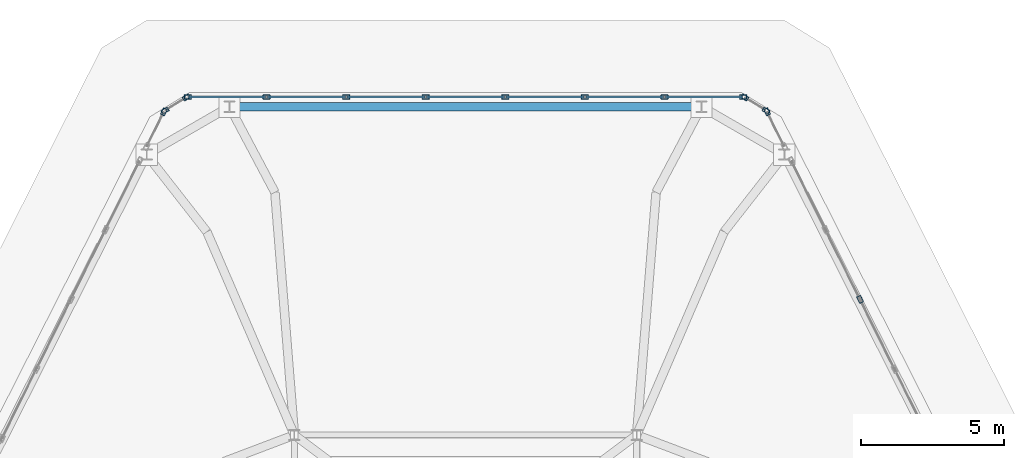
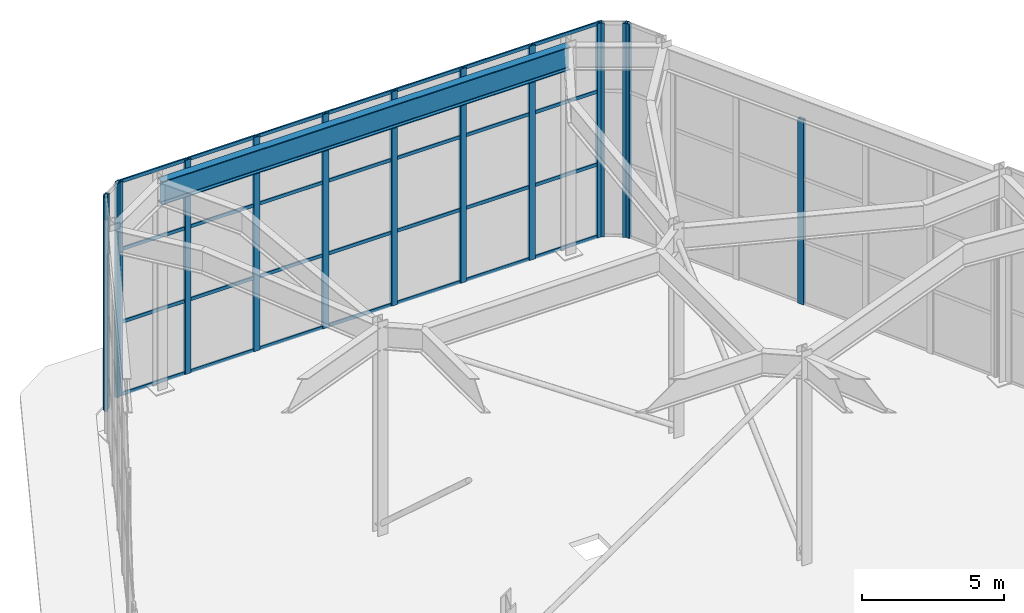
# One storey, part 8 of 12: 43 members, 1 beam, 6 elements without a shape of their own.
"""IFC4 building model written with IfcOpenShell, lengths in metres."""

from ifc_helpers import new_model, si_unit, direction, frame, origin, origin_2d, place, context, subcontext, project, spatial, hollow_rectangle, i_section, extrude, material, layer, layer_set, material_profile, profile_set, type_object, element, aggregate, save


model = new_model("IFC4")

# Units and contexts
model_context = context("Model", 3, precision=1e-05, world=origin(), true_north=direction((0.0, 1.0)))
body_context = subcontext(model_context, "Body", "Model", "MODEL_VIEW")
ifc_project = project(units=[si_unit("LENGTHUNIT", "METRE"), si_unit("AREAUNIT", "SQUARE_METRE"), si_unit("VOLUMEUNIT", "CUBIC_METRE"), si_unit("PLANEANGLEUNIT", "RADIAN"), si_unit("MASSUNIT", "GRAM", prefix="KILO")], contexts=[model_context])

# Site, building, storey
site_placement = place(None, origin())
site = spatial("IfcSite", under=ifc_project, at=site_placement, CompositionType="ELEMENT")
building_placement = place(site_placement, origin())
building = spatial("IfcBuilding", under=site, at=building_placement, Name="Cinnabar Lancet Tower", CompositionType="ELEMENT")
storey_placement = place(building_placement, frame((0.0, 0.0, 305.5)))
storey = spatial("IfcBuildingStorey", under=building, at=storey_placement, Name="L80", CompositionType="ELEMENT", Elevation=305.5)

# Curtain wall, member
ifc_material_1 = material(Name="Thermally broken bronze-anodized aluminium and low-E glass", Category="aluminium")
ifc_layer = layer(ifc_material_1, 0.179931640625)
ifc_layer_set = layer_set([ifc_layer], Name="Thermally broken bronze-anodized aluminium and low-E glass")
curtain_wall_type = type_object("IfcCurtainWallType", Name="ENV-CW-SYS-05", PredefinedType="NOTDEFINED", material=ifc_layer_set)
curtain_wall_1_placement = place(storey_placement, origin())
curtain_wall_1 = element("IfcCurtainWall", 1, at=curtain_wall_1_placement, inside=storey, type_object=curtain_wall_type, Name="L80 Faceted Lancet Crown Curtain Wall 9", PredefinedType="NOTDEFINED")
ifc_material_2 = material(Name="Anodized architectural aluminium 6063-T6", Category="aluminium")
ifc_material_profile_1 = material_profile(ifc_material_2, hollow_rectangle(XDim=0.14990234375, YDim=0.25, WallThickness=0.010009765625, InnerFilletRadius=0.0048828125, OuterFilletRadius=0.014892578125, at=origin_2d()), Name="RHS 250x150x10")
ifc_profile_set_1 = profile_set([ifc_material_profile_1], Name="Anodized architectural aluminium 6063-T6")
member_type_1 = type_object("IfcMemberType", Name="ENV-CW-MUL-260", PredefinedType="MULLION", material=ifc_profile_set_1)
member_1_placement = place(storey_placement, frame((46.23291015625, 35.055419921875, 0.0), z_axis=(0.0, 0.0, 1.0), x_axis=(-0.8959477521, -0.44415945955, 0.0)))
member_1 = element("IfcMember", 2, at=member_1_placement, type_object=member_type_1, Name="CW-05 mullion 4", PredefinedType="MULLION", context=body_context, shape_type="SweptSolid", body=[
    extrude(hollow_rectangle(XDim=0.14990234375, YDim=0.25, WallThickness=0.010009765625, InnerFilletRadius=0.0048828125, OuterFilletRadius=0.014892578125, at=origin_2d()), origin(), (0.0, 0.0, 1.0), 7.9150390625),
])
aggregate(curtain_wall_1, [member_1])

curtain_wall_2_placement = place(storey_placement, origin())
curtain_wall_2 = element("IfcCurtainWall", 3, at=curtain_wall_2_placement, inside=storey, type_object=curtain_wall_type, Name="L80 Faceted Lancet Crown Curtain Wall 10", PredefinedType="NOTDEFINED")
member_2_placement = place(storey_placement, frame((42.973388671875, 41.630126953125, 0.0), z_axis=(0.0, 0.0, 1.0), x_axis=(-0.895820359373, -0.444416340533, 0.0)))
member_2 = element("IfcMember", 4, at=member_2_placement, type_object=member_type_1, Name="CW-05 mullion 2", PredefinedType="MULLION", context=body_context, shape_type="SweptSolid", body=[
    extrude(hollow_rectangle(XDim=0.14990234375, YDim=0.25, WallThickness=0.010009765625, InnerFilletRadius=0.0048828125, OuterFilletRadius=0.014892578125, at=origin_2d()), origin(), (0.0, 0.0, 1.0), 9.175048828125),
])
aggregate(curtain_wall_2, [member_2])

# Curtain wall, members
curtain_wall_3_placement = place(storey_placement, origin())
curtain_wall_3 = element("IfcCurtainWall", 5, at=curtain_wall_3_placement, inside=storey, type_object=curtain_wall_type, Name="L80 Faceted Lancet Crown Curtain Wall 11", PredefinedType="NOTDEFINED")
member_3_placement = place(storey_placement, frame((42.9345703125, 41.6728515625, 0.0), z_axis=(0.0, 0.0, 1.0), x_axis=(-0.527496027734, -0.849557497009, 0.0)))
member_3 = element("IfcMember", 6, at=member_3_placement, type_object=member_type_1, Name="CW-05 mullion 1", PredefinedType="MULLION", context=body_context, shape_type="SweptSolid", body=[
    extrude(hollow_rectangle(XDim=0.14990234375, YDim=0.25, WallThickness=0.010009765625, InnerFilletRadius=0.0048828125, OuterFilletRadius=0.014892578125, at=origin_2d()), origin(), (0.0, 0.0, 1.0), 9.175048828125),
])
member_4_placement = place(storey_placement, frame((42.19140625, 42.13427734375, 0.0), z_axis=(0.0, 0.0, 1.0), x_axis=(-0.527496027734, -0.849557497009, 0.0)))
member_4 = element("IfcMember", 7, at=member_4_placement, type_object=member_type_1, Name="CW-05 mullion 2", PredefinedType="MULLION", context=body_context, shape_type="SweptSolid", body=[
    extrude(hollow_rectangle(XDim=0.14990234375, YDim=0.25, WallThickness=0.010009765625, InnerFilletRadius=0.0048828125, OuterFilletRadius=0.014892578125, at=origin_2d()), origin(), (0.0, 0.0, 1.0), 9.175048828125),
])
aggregate(curtain_wall_3, [member_3, member_4])

curtain_wall_4_placement = place(storey_placement, origin())
curtain_wall_4 = element("IfcCurtainWall", 8, at=curtain_wall_4_placement, inside=storey, type_object=curtain_wall_type, Name="L80 Faceted Lancet Crown Curtain Wall 12", PredefinedType="NOTDEFINED")
member_5_placement = place(storey_placement, frame((42.135986328125, 42.14990234375, 0.0), z_axis=(0.0, 0.0, 1.0), x_axis=(0.0, -1.0, 0.0)))
member_5 = element("IfcMember", 9, at=member_5_placement, type_object=member_type_1, Name="CW-05 mullion 1", PredefinedType="MULLION", context=body_context, shape_type="SweptSolid", body=[
    extrude(hollow_rectangle(XDim=0.14990234375, YDim=0.25, WallThickness=0.010009765625, InnerFilletRadius=0.0048828125, OuterFilletRadius=0.014892578125, at=origin_2d()), origin(), (0.0, 0.0, 1.0), 9.175048828125),
])
member_6_placement = place(storey_placement, frame((39.375732421875, 42.14990234375, 0.0), z_axis=(0.0, 0.0, 1.0), x_axis=(0.0, -1.0, 0.0)))
member_6 = element("IfcMember", 10, at=member_6_placement, type_object=member_type_1, Name="CW-05 mullion 2", PredefinedType="MULLION", context=body_context, shape_type="SweptSolid", body=[
    extrude(hollow_rectangle(XDim=0.14990234375, YDim=0.25, WallThickness=0.010009765625, InnerFilletRadius=0.0048828125, OuterFilletRadius=0.014892578125, at=origin_2d()), origin(), (0.0, 0.0, 1.0), 9.175048828125),
])
member_7_placement = place(storey_placement, frame((36.58544921875, 42.14990234375, 0.0), z_axis=(0.0, 0.0, 1.0), x_axis=(0.0, -1.0, 0.0)))
member_7 = element("IfcMember", 11, at=member_7_placement, type_object=member_type_1, Name="CW-05 mullion 3", PredefinedType="MULLION", context=body_context, shape_type="SweptSolid", body=[
    extrude(hollow_rectangle(XDim=0.14990234375, YDim=0.25, WallThickness=0.010009765625, InnerFilletRadius=0.0048828125, OuterFilletRadius=0.014892578125, at=origin_2d()), origin(), (0.0, 0.0, 1.0), 9.175048828125),
])
member_8_placement = place(storey_placement, frame((33.795166015625, 42.14990234375, 0.0), z_axis=(0.0, 0.0, 1.0), x_axis=(0.0, -1.0, 0.0)))
member_8 = element("IfcMember", 12, at=member_8_placement, type_object=member_type_1, Name="CW-05 mullion 4", PredefinedType="MULLION", context=body_context, shape_type="SweptSolid", body=[
    extrude(hollow_rectangle(XDim=0.14990234375, YDim=0.25, WallThickness=0.010009765625, InnerFilletRadius=0.0048828125, OuterFilletRadius=0.014892578125, at=origin_2d()), origin(), (0.0, 0.0, 1.0), 9.175048828125),
])
member_9_placement = place(storey_placement, frame((31.0048828125, 42.14990234375, 0.0), z_axis=(0.0, 0.0, 1.0), x_axis=(0.0, -1.0, 0.0)))
member_9 = element("IfcMember", 13, at=member_9_placement, type_object=member_type_1, Name="CW-05 mullion 5", PredefinedType="MULLION", context=body_context, shape_type="SweptSolid", body=[
    extrude(hollow_rectangle(XDim=0.14990234375, YDim=0.25, WallThickness=0.010009765625, InnerFilletRadius=0.0048828125, OuterFilletRadius=0.014892578125, at=origin_2d()), origin(), (0.0, 0.0, 1.0), 9.175048828125),
])
member_10_placement = place(storey_placement, frame((28.214599609375, 42.14990234375, 0.0), z_axis=(0.0, 0.0, 1.0), x_axis=(0.0, -1.0, 0.0)))
member_10 = element("IfcMember", 14, at=member_10_placement, type_object=member_type_1, Name="CW-05 mullion 6", PredefinedType="MULLION", context=body_context, shape_type="SweptSolid", body=[
    extrude(hollow_rectangle(XDim=0.14990234375, YDim=0.25, WallThickness=0.010009765625, InnerFilletRadius=0.0048828125, OuterFilletRadius=0.014892578125, at=origin_2d()), origin(), (0.0, 0.0, 1.0), 9.175048828125),
])
member_11_placement = place(storey_placement, frame((25.42431640625, 42.14990234375, 0.0), z_axis=(0.0, 0.0, 1.0), x_axis=(0.0, -1.0, 0.0)))
member_11 = element("IfcMember", 15, at=member_11_placement, type_object=member_type_1, Name="CW-05 mullion 7", PredefinedType="MULLION", context=body_context, shape_type="SweptSolid", body=[
    extrude(hollow_rectangle(XDim=0.14990234375, YDim=0.25, WallThickness=0.010009765625, InnerFilletRadius=0.0048828125, OuterFilletRadius=0.014892578125, at=origin_2d()), origin(), (0.0, 0.0, 1.0), 9.175048828125),
])
member_12_placement = place(storey_placement, frame((22.6640625, 42.14990234375, 0.0), z_axis=(0.0, 0.0, 1.0), x_axis=(0.0, -1.0, 0.0)))
member_12 = element("IfcMember", 16, at=member_12_placement, type_object=member_type_1, Name="CW-05 mullion 8", PredefinedType="MULLION", context=body_context, shape_type="SweptSolid", body=[
    extrude(hollow_rectangle(XDim=0.14990234375, YDim=0.25, WallThickness=0.010009765625, InnerFilletRadius=0.0048828125, OuterFilletRadius=0.014892578125, at=origin_2d()), origin(), (0.0, 0.0, 1.0), 9.175048828125),
])

curtain_wall_5_placement = place(storey_placement, origin())
curtain_wall_5 = element("IfcCurtainWall", 17, at=curtain_wall_5_placement, inside=storey, type_object=curtain_wall_type, Name="L80 Faceted Lancet Crown Curtain Wall 13", PredefinedType="NOTDEFINED")
member_13_placement = place(storey_placement, frame((22.6083984375, 42.13427734375, 0.0), z_axis=(0.0, 0.0, 1.0), x_axis=(0.527496027734, -0.849557497009, 0.0)))
member_13 = element("IfcMember", 18, at=member_13_placement, type_object=member_type_1, Name="CW-05 mullion 1", PredefinedType="MULLION", context=body_context, shape_type="SweptSolid", body=[
    extrude(hollow_rectangle(XDim=0.14990234375, YDim=0.25, WallThickness=0.010009765625, InnerFilletRadius=0.0048828125, OuterFilletRadius=0.014892578125, at=origin_2d()), origin(), (0.0, 0.0, 1.0), 9.175048828125),
])
member_14_placement = place(storey_placement, frame((21.865478515625, 41.6728515625, 0.0), z_axis=(0.0, 0.0, 1.0), x_axis=(0.527496027734, -0.849557497009, 0.0)))
member_14 = element("IfcMember", 19, at=member_14_placement, type_object=member_type_1, Name="CW-05 mullion 2", PredefinedType="MULLION", context=body_context, shape_type="SweptSolid", body=[
    extrude(hollow_rectangle(XDim=0.14990234375, YDim=0.25, WallThickness=0.010009765625, InnerFilletRadius=0.0048828125, OuterFilletRadius=0.014892578125, at=origin_2d()), origin(), (0.0, 0.0, 1.0), 9.175048828125),
])
aggregate(curtain_wall_5, [member_13, member_14])

# Curtain wall, member
curtain_wall_6_placement = place(storey_placement, origin())
curtain_wall_6 = element("IfcCurtainWall", 20, at=curtain_wall_6_placement, inside=storey, type_object=curtain_wall_type, Name="L80 Faceted Lancet Crown Curtain Wall 14", PredefinedType="NOTDEFINED")
member_15_placement = place(storey_placement, frame((21.82666015625, 41.630126953125, 0.0), z_axis=(0.0, 0.0, 1.0), x_axis=(0.895820359373, -0.444416340533, 0.0)))
member_15 = element("IfcMember", 21, at=member_15_placement, type_object=member_type_1, Name="CW-05 mullion 1", PredefinedType="MULLION", context=body_context, shape_type="SweptSolid", body=[
    extrude(hollow_rectangle(XDim=0.14990234375, YDim=0.25, WallThickness=0.010009765625, InnerFilletRadius=0.0048828125, OuterFilletRadius=0.014892578125, at=origin_2d()), origin(), (0.0, 0.0, 1.0), 9.175048828125),
])
aggregate(curtain_wall_6, [member_15])

# Member
ifc_material_3 = material(Name="Anodized architectural aluminium 6063-T6", Category="aluminium")
ifc_material_profile_2 = material_profile(ifc_material_3, hollow_rectangle(XDim=0.06494140625, YDim=0.14990234375, WallThickness=0.00390625, InnerFilletRadius=0.001953125, OuterFilletRadius=0.006103515625, at=origin_2d()), Name="CW-TRN 150x65x4")
ifc_profile_set_2 = profile_set([ifc_material_profile_2], Name="Anodized architectural aluminium 6063-T6")
member_type_2 = type_object("IfcMemberType", Name="ENV-CW-TRN-160", PredefinedType="USERDEFINED", material=ifc_profile_set_2)
member_16_placement = place(storey_placement, frame((42.10595703125, 42.14990234375, 0.030029296875), z_axis=(-1.0, 0.0, 0.0), x_axis=(0.0, -1.0, 0.0)))
member_16 = element("IfcMember", 22, at=member_16_placement, type_object=member_type_2, Name="CW-05 transom 1.1", ObjectType="TRANSOM", PredefinedType="USERDEFINED", context=body_context, shape_type="SweptSolid", body=[
    extrude(hollow_rectangle(XDim=0.06494140625, YDim=0.14990234375, WallThickness=0.00390625, InnerFilletRadius=0.001953125, OuterFilletRadius=0.006103515625, at=origin_2d()), origin(), (0.0, 0.0, 1.0), 2.7001953125),
])

member_17_placement = place(storey_placement, frame((42.10595703125, 42.14990234375, 3.1201171875), z_axis=(-1.0, 0.0, 0.0), x_axis=(0.0, -1.0, 0.0)))
member_17 = element("IfcMember", 23, at=member_17_placement, type_object=member_type_2, Name="CW-05 transom 1.2", ObjectType="TRANSOM", PredefinedType="USERDEFINED", context=body_context, shape_type="SweptSolid", body=[
    extrude(hollow_rectangle(XDim=0.06494140625, YDim=0.14990234375, WallThickness=0.00390625, InnerFilletRadius=0.001953125, OuterFilletRadius=0.006103515625, at=origin_2d()), origin(), (0.0, 0.0, 1.0), 2.7001953125),
])

member_18_placement = place(storey_placement, frame((42.10595703125, 42.14990234375, 6.239013671875), z_axis=(-1.0, 0.0, 0.0), x_axis=(0.0, -1.0, 0.0)))
member_18 = element("IfcMember", 24, at=member_18_placement, type_object=member_type_2, Name="CW-05 transom 1.3", ObjectType="TRANSOM", PredefinedType="USERDEFINED", context=body_context, shape_type="SweptSolid", body=[
    extrude(hollow_rectangle(XDim=0.06494140625, YDim=0.14990234375, WallThickness=0.00390625, InnerFilletRadius=0.001953125, OuterFilletRadius=0.006103515625, at=origin_2d()), origin(), (0.0, 0.0, 1.0), 2.7001953125),
])

member_19_placement = place(storey_placement, frame((42.10595703125, 42.14990234375, 9.14501953125), z_axis=(-1.0, 0.0, 0.0), x_axis=(0.0, -1.0, 0.0)))
member_19 = element("IfcMember", 25, at=member_19_placement, type_object=member_type_2, Name="CW-05 transom 1.4", ObjectType="TRANSOM", PredefinedType="USERDEFINED", context=body_context, shape_type="SweptSolid", body=[
    extrude(hollow_rectangle(XDim=0.06494140625, YDim=0.14990234375, WallThickness=0.00390625, InnerFilletRadius=0.001953125, OuterFilletRadius=0.006103515625, at=origin_2d()), origin(), (0.0, 0.0, 1.0), 2.7001953125),
])

member_20_placement = place(storey_placement, frame((39.345703125, 42.14990234375, 0.030029296875), z_axis=(-1.0, 0.0, 0.0), x_axis=(0.0, -1.0, 0.0)))
member_20 = element("IfcMember", 26, at=member_20_placement, type_object=member_type_2, Name="CW-05 transom 2.1", ObjectType="TRANSOM", PredefinedType="USERDEFINED", context=body_context, shape_type="SweptSolid", body=[
    extrude(hollow_rectangle(XDim=0.06494140625, YDim=0.14990234375, WallThickness=0.00390625, InnerFilletRadius=0.001953125, OuterFilletRadius=0.006103515625, at=origin_2d()), origin(), (0.0, 0.0, 1.0), 2.730224609375),
])

member_21_placement = place(storey_placement, frame((39.345703125, 42.14990234375, 3.1201171875), z_axis=(-1.0, 0.0, 0.0), x_axis=(0.0, -1.0, 0.0)))
member_21 = element("IfcMember", 27, at=member_21_placement, type_object=member_type_2, Name="CW-05 transom 2.2", ObjectType="TRANSOM", PredefinedType="USERDEFINED", context=body_context, shape_type="SweptSolid", body=[
    extrude(hollow_rectangle(XDim=0.06494140625, YDim=0.14990234375, WallThickness=0.00390625, InnerFilletRadius=0.001953125, OuterFilletRadius=0.006103515625, at=origin_2d()), origin(), (0.0, 0.0, 1.0), 2.730224609375),
])

member_22_placement = place(storey_placement, frame((39.345703125, 42.14990234375, 6.239013671875), z_axis=(-1.0, 0.0, 0.0), x_axis=(0.0, -1.0, 0.0)))
member_22 = element("IfcMember", 28, at=member_22_placement, type_object=member_type_2, Name="CW-05 transom 2.3", ObjectType="TRANSOM", PredefinedType="USERDEFINED", context=body_context, shape_type="SweptSolid", body=[
    extrude(hollow_rectangle(XDim=0.06494140625, YDim=0.14990234375, WallThickness=0.00390625, InnerFilletRadius=0.001953125, OuterFilletRadius=0.006103515625, at=origin_2d()), origin(), (0.0, 0.0, 1.0), 2.730224609375),
])

member_23_placement = place(storey_placement, frame((39.345703125, 42.14990234375, 9.14501953125), z_axis=(-1.0, 0.0, 0.0), x_axis=(0.0, -1.0, 0.0)))
member_23 = element("IfcMember", 29, at=member_23_placement, type_object=member_type_2, Name="CW-05 transom 2.4", ObjectType="TRANSOM", PredefinedType="USERDEFINED", context=body_context, shape_type="SweptSolid", body=[
    extrude(hollow_rectangle(XDim=0.06494140625, YDim=0.14990234375, WallThickness=0.00390625, InnerFilletRadius=0.001953125, OuterFilletRadius=0.006103515625, at=origin_2d()), origin(), (0.0, 0.0, 1.0), 2.730224609375),
])

member_24_placement = place(storey_placement, frame((36.555419921875, 42.14990234375, 0.030029296875), z_axis=(-1.0, 0.0, 0.0), x_axis=(0.0, -1.0, 0.0)))
member_24 = element("IfcMember", 30, at=member_24_placement, type_object=member_type_2, Name="CW-05 transom 3.1", ObjectType="TRANSOM", PredefinedType="USERDEFINED", context=body_context, shape_type="SweptSolid", body=[
    extrude(hollow_rectangle(XDim=0.06494140625, YDim=0.14990234375, WallThickness=0.00390625, InnerFilletRadius=0.001953125, OuterFilletRadius=0.006103515625, at=origin_2d()), origin(), (0.0, 0.0, 1.0), 2.730224609375),
])

member_25_placement = place(storey_placement, frame((36.555419921875, 42.14990234375, 3.1201171875), z_axis=(-1.0, 0.0, 0.0), x_axis=(0.0, -1.0, 0.0)))
member_25 = element("IfcMember", 31, at=member_25_placement, type_object=member_type_2, Name="CW-05 transom 3.2", ObjectType="TRANSOM", PredefinedType="USERDEFINED", context=body_context, shape_type="SweptSolid", body=[
    extrude(hollow_rectangle(XDim=0.06494140625, YDim=0.14990234375, WallThickness=0.00390625, InnerFilletRadius=0.001953125, OuterFilletRadius=0.006103515625, at=origin_2d()), origin(), (0.0, 0.0, 1.0), 2.730224609375),
])

member_26_placement = place(storey_placement, frame((36.555419921875, 42.14990234375, 6.239013671875), z_axis=(-1.0, 0.0, 0.0), x_axis=(0.0, -1.0, 0.0)))
member_26 = element("IfcMember", 32, at=member_26_placement, type_object=member_type_2, Name="CW-05 transom 3.3", ObjectType="TRANSOM", PredefinedType="USERDEFINED", context=body_context, shape_type="SweptSolid", body=[
    extrude(hollow_rectangle(XDim=0.06494140625, YDim=0.14990234375, WallThickness=0.00390625, InnerFilletRadius=0.001953125, OuterFilletRadius=0.006103515625, at=origin_2d()), origin(), (0.0, 0.0, 1.0), 2.730224609375),
])

member_27_placement = place(storey_placement, frame((36.555419921875, 42.14990234375, 9.14501953125), z_axis=(-1.0, 0.0, 0.0), x_axis=(0.0, -1.0, 0.0)))
member_27 = element("IfcMember", 33, at=member_27_placement, type_object=member_type_2, Name="CW-05 transom 3.4", ObjectType="TRANSOM", PredefinedType="USERDEFINED", context=body_context, shape_type="SweptSolid", body=[
    extrude(hollow_rectangle(XDim=0.06494140625, YDim=0.14990234375, WallThickness=0.00390625, InnerFilletRadius=0.001953125, OuterFilletRadius=0.006103515625, at=origin_2d()), origin(), (0.0, 0.0, 1.0), 2.730224609375),
])

member_28_placement = place(storey_placement, frame((33.76513671875, 42.14990234375, 0.030029296875), z_axis=(-1.0, 0.0, 0.0), x_axis=(0.0, -1.0, 0.0)))
member_28 = element("IfcMember", 34, at=member_28_placement, type_object=member_type_2, Name="CW-05 transom 4.1", ObjectType="TRANSOM", PredefinedType="USERDEFINED", context=body_context, shape_type="SweptSolid", body=[
    extrude(hollow_rectangle(XDim=0.06494140625, YDim=0.14990234375, WallThickness=0.00390625, InnerFilletRadius=0.001953125, OuterFilletRadius=0.006103515625, at=origin_2d()), origin(), (0.0, 0.0, 1.0), 2.730224609375),
])

member_29_placement = place(storey_placement, frame((33.76513671875, 42.14990234375, 3.1201171875), z_axis=(-1.0, 0.0, 0.0), x_axis=(0.0, -1.0, 0.0)))
member_29 = element("IfcMember", 35, at=member_29_placement, type_object=member_type_2, Name="CW-05 transom 4.2", ObjectType="TRANSOM", PredefinedType="USERDEFINED", context=body_context, shape_type="SweptSolid", body=[
    extrude(hollow_rectangle(XDim=0.06494140625, YDim=0.14990234375, WallThickness=0.00390625, InnerFilletRadius=0.001953125, OuterFilletRadius=0.006103515625, at=origin_2d()), origin(), (0.0, 0.0, 1.0), 2.730224609375),
])

member_30_placement = place(storey_placement, frame((33.76513671875, 42.14990234375, 6.239013671875), z_axis=(-1.0, 0.0, 0.0), x_axis=(0.0, -1.0, 0.0)))
member_30 = element("IfcMember", 36, at=member_30_placement, type_object=member_type_2, Name="CW-05 transom 4.3", ObjectType="TRANSOM", PredefinedType="USERDEFINED", context=body_context, shape_type="SweptSolid", body=[
    extrude(hollow_rectangle(XDim=0.06494140625, YDim=0.14990234375, WallThickness=0.00390625, InnerFilletRadius=0.001953125, OuterFilletRadius=0.006103515625, at=origin_2d()), origin(), (0.0, 0.0, 1.0), 2.730224609375),
])

member_31_placement = place(storey_placement, frame((33.76513671875, 42.14990234375, 9.14501953125), z_axis=(-1.0, 0.0, 0.0), x_axis=(0.0, -1.0, 0.0)))
member_31 = element("IfcMember", 37, at=member_31_placement, type_object=member_type_2, Name="CW-05 transom 4.4", ObjectType="TRANSOM", PredefinedType="USERDEFINED", context=body_context, shape_type="SweptSolid", body=[
    extrude(hollow_rectangle(XDim=0.06494140625, YDim=0.14990234375, WallThickness=0.00390625, InnerFilletRadius=0.001953125, OuterFilletRadius=0.006103515625, at=origin_2d()), origin(), (0.0, 0.0, 1.0), 2.730224609375),
])

member_32_placement = place(storey_placement, frame((30.974853515625, 42.14990234375, 0.030029296875), z_axis=(-1.0, 0.0, 0.0), x_axis=(0.0, -1.0, 0.0)))
member_32 = element("IfcMember", 38, at=member_32_placement, type_object=member_type_2, Name="CW-05 transom 5.1", ObjectType="TRANSOM", PredefinedType="USERDEFINED", context=body_context, shape_type="SweptSolid", body=[
    extrude(hollow_rectangle(XDim=0.06494140625, YDim=0.14990234375, WallThickness=0.00390625, InnerFilletRadius=0.001953125, OuterFilletRadius=0.006103515625, at=origin_2d()), origin(), (0.0, 0.0, 1.0), 2.730224609375),
])

member_33_placement = place(storey_placement, frame((30.974853515625, 42.14990234375, 3.1201171875), z_axis=(-1.0, 0.0, 0.0), x_axis=(0.0, -1.0, 0.0)))
member_33 = element("IfcMember", 39, at=member_33_placement, type_object=member_type_2, Name="CW-05 transom 5.2", ObjectType="TRANSOM", PredefinedType="USERDEFINED", context=body_context, shape_type="SweptSolid", body=[
    extrude(hollow_rectangle(XDim=0.06494140625, YDim=0.14990234375, WallThickness=0.00390625, InnerFilletRadius=0.001953125, OuterFilletRadius=0.006103515625, at=origin_2d()), origin(), (0.0, 0.0, 1.0), 2.730224609375),
])

member_34_placement = place(storey_placement, frame((30.974853515625, 42.14990234375, 6.239013671875), z_axis=(-1.0, 0.0, 0.0), x_axis=(0.0, -1.0, 0.0)))
member_34 = element("IfcMember", 40, at=member_34_placement, type_object=member_type_2, Name="CW-05 transom 5.3", ObjectType="TRANSOM", PredefinedType="USERDEFINED", context=body_context, shape_type="SweptSolid", body=[
    extrude(hollow_rectangle(XDim=0.06494140625, YDim=0.14990234375, WallThickness=0.00390625, InnerFilletRadius=0.001953125, OuterFilletRadius=0.006103515625, at=origin_2d()), origin(), (0.0, 0.0, 1.0), 2.730224609375),
])

member_35_placement = place(storey_placement, frame((30.974853515625, 42.14990234375, 9.14501953125), z_axis=(-1.0, 0.0, 0.0), x_axis=(0.0, -1.0, 0.0)))
member_35 = element("IfcMember", 41, at=member_35_placement, type_object=member_type_2, Name="CW-05 transom 5.4", ObjectType="TRANSOM", PredefinedType="USERDEFINED", context=body_context, shape_type="SweptSolid", body=[
    extrude(hollow_rectangle(XDim=0.06494140625, YDim=0.14990234375, WallThickness=0.00390625, InnerFilletRadius=0.001953125, OuterFilletRadius=0.006103515625, at=origin_2d()), origin(), (0.0, 0.0, 1.0), 2.730224609375),
])

member_36_placement = place(storey_placement, frame((28.1845703125, 42.14990234375, 0.030029296875), z_axis=(-1.0, 0.0, 0.0), x_axis=(0.0, -1.0, 0.0)))
member_36 = element("IfcMember", 42, at=member_36_placement, type_object=member_type_2, Name="CW-05 transom 6.1", ObjectType="TRANSOM", PredefinedType="USERDEFINED", context=body_context, shape_type="SweptSolid", body=[
    extrude(hollow_rectangle(XDim=0.06494140625, YDim=0.14990234375, WallThickness=0.00390625, InnerFilletRadius=0.001953125, OuterFilletRadius=0.006103515625, at=origin_2d()), origin(), (0.0, 0.0, 1.0), 2.730224609375),
])

member_37_placement = place(storey_placement, frame((28.1845703125, 42.14990234375, 3.1201171875), z_axis=(-1.0, 0.0, 0.0), x_axis=(0.0, -1.0, 0.0)))
member_37 = element("IfcMember", 43, at=member_37_placement, type_object=member_type_2, Name="CW-05 transom 6.2", ObjectType="TRANSOM", PredefinedType="USERDEFINED", context=body_context, shape_type="SweptSolid", body=[
    extrude(hollow_rectangle(XDim=0.06494140625, YDim=0.14990234375, WallThickness=0.00390625, InnerFilletRadius=0.001953125, OuterFilletRadius=0.006103515625, at=origin_2d()), origin(), (0.0, 0.0, 1.0), 2.730224609375),
])

member_38_placement = place(storey_placement, frame((28.1845703125, 42.14990234375, 6.239013671875), z_axis=(-1.0, 0.0, 0.0), x_axis=(0.0, -1.0, 0.0)))
member_38 = element("IfcMember", 44, at=member_38_placement, type_object=member_type_2, Name="CW-05 transom 6.3", ObjectType="TRANSOM", PredefinedType="USERDEFINED", context=body_context, shape_type="SweptSolid", body=[
    extrude(hollow_rectangle(XDim=0.06494140625, YDim=0.14990234375, WallThickness=0.00390625, InnerFilletRadius=0.001953125, OuterFilletRadius=0.006103515625, at=origin_2d()), origin(), (0.0, 0.0, 1.0), 2.730224609375),
])

member_39_placement = place(storey_placement, frame((28.1845703125, 42.14990234375, 9.14501953125), z_axis=(-1.0, 0.0, 0.0), x_axis=(0.0, -1.0, 0.0)))
member_39 = element("IfcMember", 45, at=member_39_placement, type_object=member_type_2, Name="CW-05 transom 6.4", ObjectType="TRANSOM", PredefinedType="USERDEFINED", context=body_context, shape_type="SweptSolid", body=[
    extrude(hollow_rectangle(XDim=0.06494140625, YDim=0.14990234375, WallThickness=0.00390625, InnerFilletRadius=0.001953125, OuterFilletRadius=0.006103515625, at=origin_2d()), origin(), (0.0, 0.0, 1.0), 2.730224609375),
])

member_40_placement = place(storey_placement, frame((25.394287109375, 42.14990234375, 0.030029296875), z_axis=(-1.0, 0.0, 0.0), x_axis=(0.0, -1.0, 0.0)))
member_40 = element("IfcMember", 46, at=member_40_placement, type_object=member_type_2, Name="CW-05 transom 7.1", ObjectType="TRANSOM", PredefinedType="USERDEFINED", context=body_context, shape_type="SweptSolid", body=[
    extrude(hollow_rectangle(XDim=0.06494140625, YDim=0.14990234375, WallThickness=0.00390625, InnerFilletRadius=0.001953125, OuterFilletRadius=0.006103515625, at=origin_2d()), origin(), (0.0, 0.0, 1.0), 2.7001953125),
])

member_41_placement = place(storey_placement, frame((25.394287109375, 42.14990234375, 3.1201171875), z_axis=(-1.0, 0.0, 0.0), x_axis=(0.0, -1.0, 0.0)))
member_41 = element("IfcMember", 47, at=member_41_placement, type_object=member_type_2, Name="CW-05 transom 7.2", ObjectType="TRANSOM", PredefinedType="USERDEFINED", context=body_context, shape_type="SweptSolid", body=[
    extrude(hollow_rectangle(XDim=0.06494140625, YDim=0.14990234375, WallThickness=0.00390625, InnerFilletRadius=0.001953125, OuterFilletRadius=0.006103515625, at=origin_2d()), origin(), (0.0, 0.0, 1.0), 2.7001953125),
])

member_42_placement = place(storey_placement, frame((25.394287109375, 42.14990234375, 6.239013671875), z_axis=(-1.0, 0.0, 0.0), x_axis=(0.0, -1.0, 0.0)))
member_42 = element("IfcMember", 48, at=member_42_placement, type_object=member_type_2, Name="CW-05 transom 7.3", ObjectType="TRANSOM", PredefinedType="USERDEFINED", context=body_context, shape_type="SweptSolid", body=[
    extrude(hollow_rectangle(XDim=0.06494140625, YDim=0.14990234375, WallThickness=0.00390625, InnerFilletRadius=0.001953125, OuterFilletRadius=0.006103515625, at=origin_2d()), origin(), (0.0, 0.0, 1.0), 2.7001953125),
])

member_43_placement = place(storey_placement, frame((25.394287109375, 42.14990234375, 9.14501953125), z_axis=(-1.0, 0.0, 0.0), x_axis=(0.0, -1.0, 0.0)))
member_43 = element("IfcMember", 49, at=member_43_placement, type_object=member_type_2, Name="CW-05 transom 7.4", ObjectType="TRANSOM", PredefinedType="USERDEFINED", context=body_context, shape_type="SweptSolid", body=[
    extrude(hollow_rectangle(XDim=0.06494140625, YDim=0.14990234375, WallThickness=0.00390625, InnerFilletRadius=0.001953125, OuterFilletRadius=0.006103515625, at=origin_2d()), origin(), (0.0, 0.0, 1.0), 2.7001953125),
])

aggregate(curtain_wall_4, [member_5, member_6, member_7, member_8, member_9, member_10, member_11, member_12, member_16, member_17, member_18, member_19, member_20, member_21, member_22, member_23, member_24, member_25, member_26, member_27, member_28, member_29, member_30, member_31, member_32, member_33, member_34, member_35, member_36, member_37, member_38, member_39, member_40, member_41, member_42, member_43])

# Beam
ifc_material_4 = material(Name="Structural steel S460", Category="steel")
ifc_material_profile_3 = material_profile(ifc_material_4, i_section(OverallWidth=0.300048828125, OverallDepth=1.0, WebThickness=0.01904296875, FlangeThickness=0.035888671875, FilletRadius=0.030029296875, at=origin_2d()), Name="UKB 1016x305x314")
ifc_profile_set_3 = profile_set([ifc_material_profile_3], Name="Structural steel S460")
beam_type = type_object("IfcBeamType", Name="STR-BM-UKB1016-314", PredefinedType="BEAM", material=ifc_profile_set_3)
beam_placement = place(storey_placement, frame((40.675048828125, 41.81103515625, 8.425048828125), z_axis=(-1.0, 0.0, 0.0), x_axis=(0.0, -1.0, 0.0)))
element("IfcBeam", 50, at=beam_placement, inside=storey, type_object=beam_type, Name="L81 Setback Outer Ring Girder 7", PredefinedType="BEAM", context=body_context, shape_type="SweptSolid", body=[
    extrude(i_section(OverallWidth=0.300048828125, OverallDepth=1.0, WebThickness=0.01904296875, FlangeThickness=0.035888671875, FilletRadius=0.030029296875, at=origin_2d()), origin(), (0.0, 0.0, 1.0), 16.550048828125),
])

save(model, "model.ifc")
